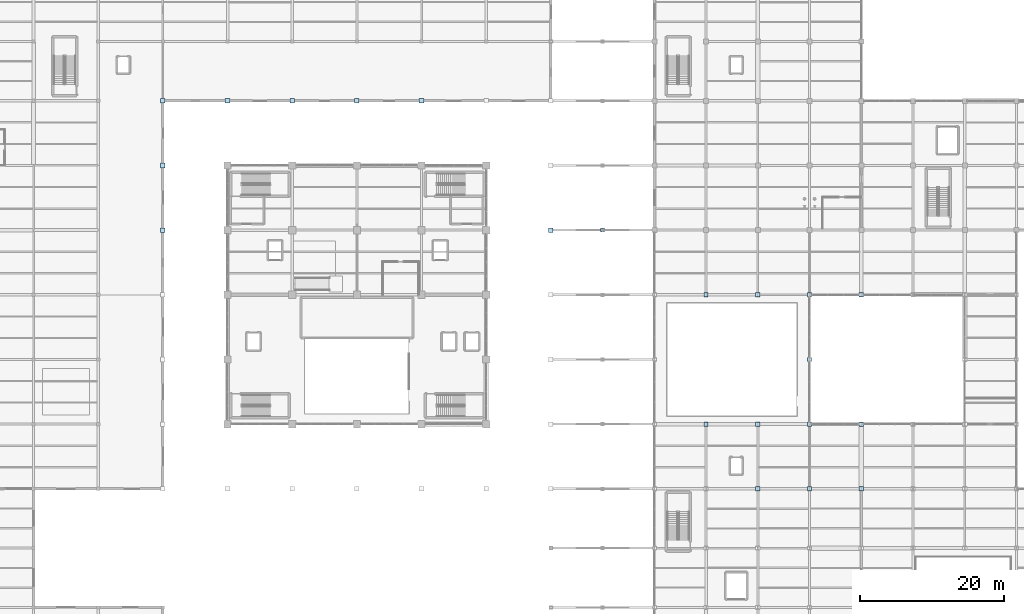
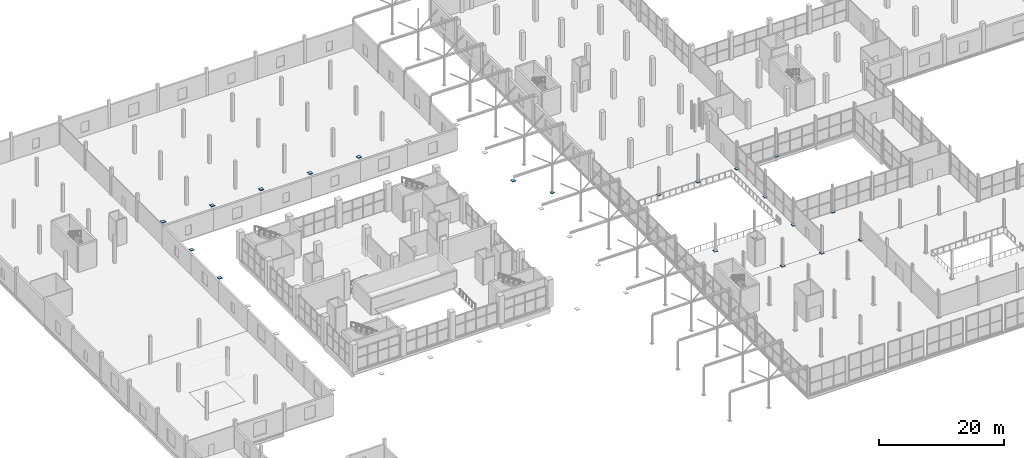
# One storey, part 124 of 147: 21 plates.
"""IFC4 building model written with IfcOpenShell, lengths in metres."""

from ifc_helpers import new_model, si_unit, direction, frame, origin, origin_2d, place, context, subcontext, project, spatial, rectangle, extrude, material, layer, layer_set, type_object, element, save


model = new_model("IFC4")

# Units and contexts
model_context = context("Model", 3, precision=1e-05, world=origin(), true_north=direction((0.0, 1.0)))
body_context = subcontext(model_context, "Body", "Model", "MODEL_VIEW")
ifc_project = project(units=[si_unit("LENGTHUNIT", "METRE"), si_unit("AREAUNIT", "SQUARE_METRE"), si_unit("VOLUMEUNIT", "CUBIC_METRE"), si_unit("PLANEANGLEUNIT", "RADIAN"), si_unit("MASSUNIT", "GRAM", prefix="KILO")], contexts=[model_context])

# Site, building, storey
site_placement = place(None, origin())
site = spatial("IfcSite", under=ifc_project, at=site_placement, CompositionType="ELEMENT")
building_placement = place(site_placement, origin())
building = spatial("IfcBuilding", under=site, at=building_placement, Name="Sundgate Opera House", CompositionType="ELEMENT")
storey_placement = place(building_placement, frame((0.0, 0.0, 6.0)))
storey = spatial("IfcBuildingStorey", under=building, at=storey_placement, Name="L01", CompositionType="ELEMENT", Elevation=6.0)

# Plates
ifc_material_1 = material(Name="Steel S355J2", Category="steel")
ifc_layer_1 = layer(ifc_material_1, 0.02587890625)
ifc_layer_set_1 = layer_set([ifc_layer_1], Name="Steel S355J2")
plate_type_1 = type_object("IfcPlateType", Name="PT-BAS-26", PredefinedType="USERDEFINED", material=ifc_layer_set_1)
for number, where, z_axis, x_axis, name in (
    (1, (102.60009765625, 42.0, 0.0), (0.0, 0.0, 1.0), (1.0, 0.0, 0.0), "L01 Base Plate PT0247"),
    (2, (124.199951171875, 60.0, 0.0), (0.0, 0.0, 1.0), (1.0, 0.0, 0.0), "L01 Base Plate PT0310"),
):
    element("IfcPlate", number, at=place(storey_placement, frame(where, z_axis=z_axis, x_axis=x_axis)), inside=storey, type_object=plate_type_1, Name=name, ObjectType="BASE PLATE", PredefinedType="USERDEFINED", context=body_context, shape_type="SweptSolid", body=[
        extrude(rectangle(XDim=0.590087890625, YDim=0.590087890625, at=origin_2d()), origin(), (0.0, 0.0, 1.0), 0.02587890625),
    ])
ifc_material_2 = material(Name="Steel S355J2", Category="steel")
ifc_layer_2 = layer(ifc_material_2, 0.033935546875)
ifc_layer_set_2 = layer_set([ifc_layer_2], Name="Steel S355J2")
plate_type_2 = type_object("IfcPlateType", Name="PT-BAS-34", PredefinedType="USERDEFINED", material=ifc_layer_set_2)
for number, where, z_axis, x_axis, name in (
    (3, (102.60009765625, 60.0, 0.0), (0.0, 0.0, 1.0), (1.0, 0.0, 0.0), "L01 Base Plate PT0250"),
    (4, (109.800048828125, 33.0, 0.0), (0.0, 0.0, 1.0), (1.0, 0.0, 0.0), "L01 Base Plate PT0263"),
):
    element("IfcPlate", number, at=place(storey_placement, frame(where, z_axis=z_axis, x_axis=x_axis)), inside=storey, type_object=plate_type_2, Name=name, ObjectType="BASE PLATE", PredefinedType="USERDEFINED", context=body_context, shape_type="SweptSolid", body=[
        extrude(rectangle(XDim=0.590087890625, YDim=0.590087890625, at=origin_2d()), origin(), (0.0, 0.0, 1.0), 0.033935546875),
    ])
ifc_material_3 = material(Name="Steel S355J2", Category="steel")
ifc_layer_3 = layer(ifc_material_3, 0.035888671875)
ifc_layer_set_3 = layer_set([ifc_layer_3], Name="Steel S355J2")
plate_type_3 = type_object("IfcPlateType", Name="PT-BAS-36", PredefinedType="USERDEFINED", material=ifc_layer_set_3)
plate_1_placement = place(storey_placement, frame((109.800048828125, 42.0, 0.0), z_axis=(0.0, 0.0, 1.0), x_axis=(1.0, 0.0, 0.0)))
element("IfcPlate", 5, at=plate_1_placement, inside=storey, type_object=plate_type_3, Name="L01 Base Plate PT0266", ObjectType="BASE PLATE", PredefinedType="USERDEFINED", context=body_context, shape_type="SweptSolid", body=[
    extrude(rectangle(XDim=0.590087890625, YDim=0.590087890625, at=origin_2d()), origin(), (0.0, 0.0, 1.0), 0.035888671875),
])
ifc_material_4 = material(Name="Steel S355J2", Category="steel")
ifc_layer_4 = layer(ifc_material_4, 0.0400390625)
ifc_layer_set_4 = layer_set([ifc_layer_4], Name="Steel S355J2")
plate_type_4 = type_object("IfcPlateType", Name="PT-BAS-40", PredefinedType="USERDEFINED", material=ifc_layer_set_4)
plate_2_placement = place(storey_placement, frame((117.0, 33.0, 0.0), z_axis=(0.0, 0.0, 1.0), x_axis=(1.0, 0.0, 0.0)))
element("IfcPlate", 6, at=plate_2_placement, inside=storey, type_object=plate_type_4, Name="L01 Base Plate PT0282", ObjectType="BASE PLATE", PredefinedType="USERDEFINED", context=body_context, shape_type="SweptSolid", body=[
    extrude(rectangle(XDim=0.590087890625, YDim=0.590087890625, at=origin_2d()), origin(), (0.0, 0.0, 1.0), 0.0400390625),
])
ifc_material_5 = material(Name="Steel S355J2", Category="steel")
ifc_layer_5 = layer(ifc_material_5, 0.044921875)
ifc_layer_set_5 = layer_set([ifc_layer_5], Name="Steel S355J2")
plate_type_5 = type_object("IfcPlateType", Name="PT-BAS-45", PredefinedType="USERDEFINED", material=ifc_layer_set_5)
for number, where, z_axis, x_axis, name in (
    (7, (109.800048828125, 60.0, 0.0), (0.0, 0.0, 1.0), (1.0, 0.0, 0.0), "L01 Base Plate PT0269"),
    (8, (117.0, 42.0, 0.0), (0.0, 0.0, 1.0), (1.0, 0.0, 0.0), "L01 Base Plate PT0285"),
):
    element("IfcPlate", number, at=place(storey_placement, frame(where, z_axis=z_axis, x_axis=x_axis)), inside=storey, type_object=plate_type_5, Name=name, ObjectType="BASE PLATE", PredefinedType="USERDEFINED", context=body_context, shape_type="SweptSolid", body=[
        extrude(rectangle(XDim=0.590087890625, YDim=0.590087890625, at=origin_2d()), origin(), (0.0, 0.0, 1.0), 0.044921875),
    ])
ifc_material_6 = material(Name="Steel S355J2", Category="steel")
ifc_layer_6 = layer(ifc_material_6, 0.050048828125)
ifc_layer_set_6 = layer_set([ifc_layer_6], Name="Steel S355J2")
plate_type_6 = type_object("IfcPlateType", Name="PT-BAS-50", PredefinedType="USERDEFINED", material=ifc_layer_set_6)
plate_3_placement = place(storey_placement, frame((117.0, 51.0, 0.0), z_axis=(0.0, 0.0, 1.0), x_axis=(1.0, 0.0, 0.0)))
element("IfcPlate", 9, at=plate_3_placement, inside=storey, type_object=plate_type_6, Name="L01 Base Plate PT0288", ObjectType="BASE PLATE", PredefinedType="USERDEFINED", context=body_context, shape_type="SweptSolid", body=[
    extrude(rectangle(XDim=0.590087890625, YDim=0.590087890625, at=origin_2d()), origin(), (0.0, 0.0, 1.0), 0.050048828125),
])
ifc_material_7 = material(Name="Steel S355J2", Category="steel")
ifc_layer_7 = layer(ifc_material_7, 0.06201171875)
ifc_layer_set_7 = layer_set([ifc_layer_7], Name="Steel S355J2")
plate_type_7 = type_object("IfcPlateType", Name="PT-BAS-62", PredefinedType="USERDEFINED", material=ifc_layer_set_7)
plate_4_placement = place(storey_placement, frame((124.199951171875, 42.0, 0.0), z_axis=(0.0, 0.0, 1.0), x_axis=(1.0, 0.0, 0.0)))
element("IfcPlate", 10, at=plate_4_placement, inside=storey, type_object=plate_type_7, Name="L01 Base Plate PT0307", ObjectType="BASE PLATE", PredefinedType="USERDEFINED", context=body_context, shape_type="SweptSolid", body=[
    extrude(rectangle(XDim=0.590087890625, YDim=0.590087890625, at=origin_2d()), origin(), (0.0, 0.0, 1.0), 0.06201171875),
])
ifc_material_8 = material(Name="Steel S355J2", Category="steel")
ifc_layer_8 = layer(ifc_material_8, 0.068115234375)
ifc_layer_set_8 = layer_set([ifc_layer_8], Name="Steel S355J2")
plate_type_8 = type_object("IfcPlateType", Name="PT-BAS-68", PredefinedType="USERDEFINED", material=ifc_layer_set_8)
plate_5_placement = place(storey_placement, frame((88.199951171875, 69.0, 0.0), z_axis=(0.0, 0.0, 1.0), x_axis=(1.0, 0.0, 0.0)))
element("IfcPlate", 11, at=plate_5_placement, inside=storey, type_object=plate_type_8, Name="L01 Base Plate PT0197", ObjectType="BASE PLATE", PredefinedType="USERDEFINED", context=body_context, shape_type="SweptSolid", body=[
    extrude(rectangle(XDim=0.5458984375, YDim=0.5458984375, at=origin_2d()), origin(), (0.0, 0.0, 1.0), 0.068115234375),
])
for number, where, z_axis, x_axis, name in (
    (12, (117.0, 60.0, 0.0), (0.0, 0.0, 1.0), (1.0, 0.0, 0.0), "L01 Base Plate PT0291"),
    (13, (124.199951171875, 33.0, 0.0), (0.0, 0.0, 1.0), (1.0, 0.0, 0.0), "L01 Base Plate PT0304"),
):
    element("IfcPlate", number, at=place(storey_placement, frame(where, z_axis=z_axis, x_axis=x_axis)), inside=storey, type_object=plate_type_8, Name=name, ObjectType="BASE PLATE", PredefinedType="USERDEFINED", context=body_context, shape_type="SweptSolid", body=[
        extrude(rectangle(XDim=0.590087890625, YDim=0.590087890625, at=origin_2d()), origin(), (0.0, 0.0, 1.0), 0.068115234375),
    ])
ifc_material_9 = material(Name="Steel S355J2", Category="steel")
ifc_layer_9 = layer(ifc_material_9, 0.028076171875)
ifc_layer_set_9 = layer_set([ifc_layer_9], Name="Steel S355J2")
plate_type_9 = type_object("IfcPlateType", Name="PT-GUS-28", PredefinedType="USERDEFINED", material=ifc_layer_set_9)
for number, where, z_axis, x_axis, name in (
    (14, (63.0, 87.0, 4.8759765625), (0.0, 0.0, 1.0), (1.0, 0.0, 0.0), "Cantilever Node Gusset Plate PT0420"),
    (15, (27.0, 87.0, 4.8759765625), (0.0, 0.0, 1.0), (1.0, 0.0, 0.0), "Cantilever Node Gusset Plate PT0448"),
):
    element("IfcPlate", number, at=place(storey_placement, frame(where, z_axis=z_axis, x_axis=x_axis)), inside=storey, type_object=plate_type_9, Name=name, ObjectType="GUSSET PLATE", PredefinedType="USERDEFINED", context=body_context, shape_type="SweptSolid", body=[
        extrude(rectangle(XDim=0.64990234375, YDim=0.64990234375, at=origin_2d()), origin(), (0.0, 0.0, 1.0), 0.028076171875),
    ])
ifc_material_10 = material(Name="Steel S355J2", Category="steel")
ifc_layer_10 = layer(ifc_material_10, 0.031982421875)
ifc_layer_set_10 = layer_set([ifc_layer_10], Name="Steel S355J2")
plate_type_10 = type_object("IfcPlateType", Name="PT-GUS-32", PredefinedType="USERDEFINED", material=ifc_layer_set_10)
for number, where, z_axis, x_axis, name in (
    (16, (54.0, 87.0, 4.8740234375), (0.0, 0.0, 1.0), (1.0, 0.0, 0.0), "Cantilever Node Gusset Plate PT0418"),
    (17, (27.0, 78.0, 4.8740234375), (0.0, 0.0, 1.0), (1.0, 0.0, 0.0), "Cantilever Node Gusset Plate PT0432"),
):
    element("IfcPlate", number, at=place(storey_placement, frame(where, z_axis=z_axis, x_axis=x_axis)), inside=storey, type_object=plate_type_10, Name=name, ObjectType="GUSSET PLATE", PredefinedType="USERDEFINED", context=body_context, shape_type="SweptSolid", body=[
        extrude(rectangle(XDim=0.64990234375, YDim=0.64990234375, at=origin_2d()), origin(), (0.0, 0.0, 1.0), 0.031982421875),
    ])
ifc_material_11 = material(Name="Steel S355J2", Category="steel")
ifc_layer_11 = layer(ifc_material_11, 0.0380859375)
ifc_layer_set_11 = layer_set([ifc_layer_11], Name="Steel S355J2")
plate_type_11 = type_object("IfcPlateType", Name="PT-GUS-38", PredefinedType="USERDEFINED", material=ifc_layer_set_11)
plate_6_placement = place(storey_placement, frame((81.0, 69.0, 4.870849609375), z_axis=(0.0, 0.0, 1.0), x_axis=(1.0, 0.0, 0.0)))
element("IfcPlate", 18, at=plate_6_placement, inside=storey, type_object=plate_type_11, Name="Cantilever Node Gusset Plate PT0440", ObjectType="GUSSET PLATE", PredefinedType="USERDEFINED", context=body_context, shape_type="SweptSolid", body=[
    extrude(rectangle(XDim=0.64990234375, YDim=0.64990234375, at=origin_2d()), origin(), (0.0, 0.0, 1.0), 0.0380859375),
])
ifc_material_12 = material(Name="Steel S355J2", Category="steel")
ifc_layer_12 = layer(ifc_material_12, 0.0419921875)
ifc_layer_set_12 = layer_set([ifc_layer_12], Name="Steel S355J2")
plate_type_12 = type_object("IfcPlateType", Name="PT-GUS-42", PredefinedType="USERDEFINED", material=ifc_layer_set_12)
plate_7_placement = place(storey_placement, frame((36.0, 87.0, 4.868896484375), z_axis=(0.0, 0.0, 1.0), x_axis=(1.0, 0.0, 0.0)))
element("IfcPlate", 19, at=plate_7_placement, inside=storey, type_object=plate_type_12, Name="Cantilever Node Gusset Plate PT0414", ObjectType="GUSSET PLATE", PredefinedType="USERDEFINED", context=body_context, shape_type="SweptSolid", body=[
    extrude(rectangle(XDim=0.64990234375, YDim=0.64990234375, at=origin_2d()), origin(), (0.0, 0.0, 1.0), 0.0419921875),
])
ifc_material_13 = material(Name="Steel S355J2", Category="steel")
ifc_layer_13 = layer(ifc_material_13, 0.048095703125)
ifc_layer_set_13 = layer_set([ifc_layer_13], Name="Steel S355J2")
plate_type_13 = type_object("IfcPlateType", Name="PT-GUS-48", PredefinedType="USERDEFINED", material=ifc_layer_set_13)
for number, where, z_axis, x_axis, name in (
    (20, (45.0, 87.0, 4.86572265625), (0.0, 0.0, 1.0), (1.0, 0.0, 0.0), "Cantilever Node Gusset Plate PT0416"),
    (21, (27.0, 69.0, 4.86572265625), (0.0, 0.0, 1.0), (1.0, 0.0, 0.0), "Cantilever Node Gusset Plate PT0430"),
):
    element("IfcPlate", number, at=place(storey_placement, frame(where, z_axis=z_axis, x_axis=x_axis)), inside=storey, type_object=plate_type_13, Name=name, ObjectType="GUSSET PLATE", PredefinedType="USERDEFINED", context=body_context, shape_type="SweptSolid", body=[
        extrude(rectangle(XDim=0.64990234375, YDim=0.64990234375, at=origin_2d()), origin(), (0.0, 0.0, 1.0), 0.048095703125),
    ])

save(model, "model.ifc")
